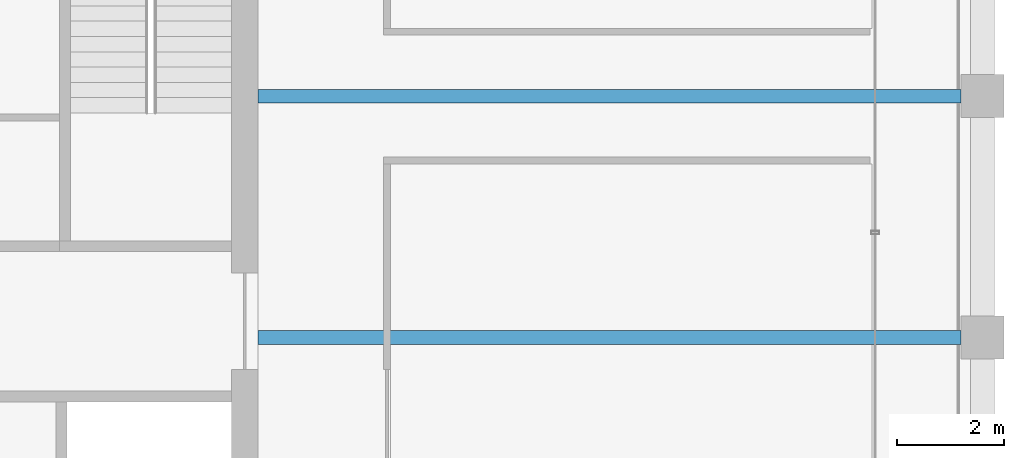
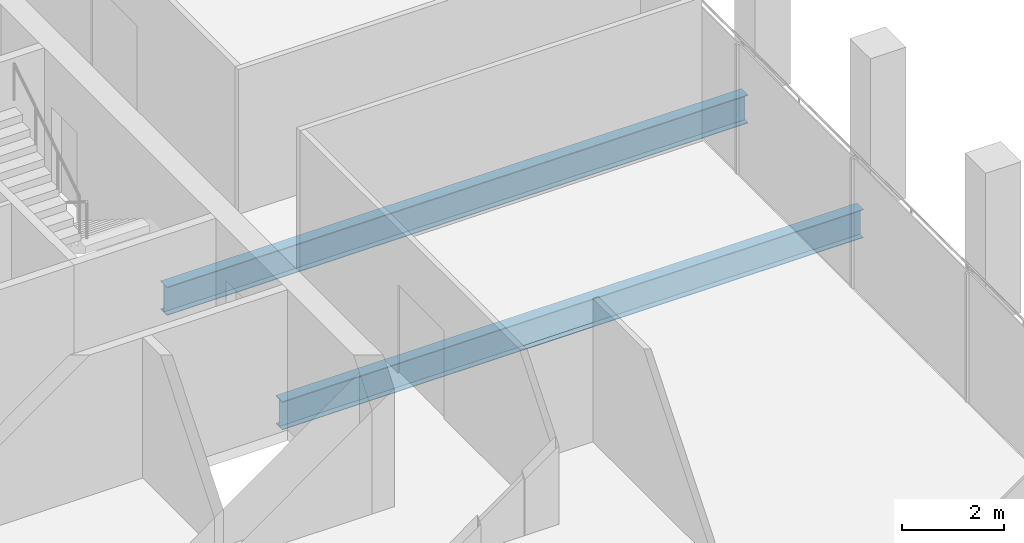
# One storey, part 16 of 30: 2 beams.
"""IFC4 building model written with IfcOpenShell, lengths in metres."""

from ifc_helpers import new_model, si_unit, direction, frame, origin, origin_2d, place, context, subcontext, project, spatial, i_section, extrude, material, material_profile, profile_set, type_object, element, save


model = new_model("IFC4")

# Units and contexts
model_context = context("Model", 3, precision=1e-05, world=origin(), true_north=direction((0.0, 1.0)))
body_context = subcontext(model_context, "Body", "Model", "MODEL_VIEW")
ifc_project = project(units=[si_unit("LENGTHUNIT", "METRE"), si_unit("AREAUNIT", "SQUARE_METRE"), si_unit("VOLUMEUNIT", "CUBIC_METRE"), si_unit("PLANEANGLEUNIT", "RADIAN"), si_unit("MASSUNIT", "GRAM", prefix="KILO")], contexts=[model_context])

# Site, building, storey
site_placement = place(None, origin())
site = spatial("IfcSite", under=ifc_project, at=site_placement, CompositionType="ELEMENT")
building_placement = place(site_placement, origin())
building = spatial("IfcBuilding", under=site, at=building_placement, Name="Altepetl Exchange Towers", CompositionType="ELEMENT")
storey_placement = place(building_placement, frame((0.0, 0.0, 224.39990234375)))
storey = spatial("IfcBuildingStorey", under=building, at=storey_placement, Name="L57", CompositionType="ELEMENT", Elevation=224.39990234375)

# Beams
ifc_material = material(Name="Steel S355", Category="steel")
ifc_material_profile = material_profile(ifc_material, i_section(OverallWidth=0.2529296875, OverallDepth=0.677978515625, WebThickness=0.01171875, FlangeThickness=0.016357421875, at=origin_2d()), Name="W27X84")
ifc_profile_set = profile_set([ifc_material_profile], Name="Steel S355")
beam_type = type_object("IfcBeamType", Name="Floor beam W27X84", PredefinedType="BEAM", material=ifc_profile_set)
for number, where, z_axis, x_axis, name in (
    (1, (58.5, 45.0, -0.489013671875), (1.0, 0.0, 0.0), (0.0, 1.0, 0.0), "bm:A:L57:009"),
    (2, (58.5, 49.5, -0.489013671875), (1.0, 0.0, 0.0), (0.0, 1.0, 0.0), "bm:A:L57:010"),
):
    element("IfcBeam", number, at=place(storey_placement, frame(where, z_axis=z_axis, x_axis=x_axis)), inside=storey, type_object=beam_type, Name=name, PredefinedType="BEAM", context=body_context, shape_type="SweptSolid", body=[
        extrude(i_section(OverallWidth=0.2529296875, OverallDepth=0.677978515625, WebThickness=0.01171875, FlangeThickness=0.016357421875, at=origin_2d()), origin(), (0.0, 0.0, 1.0), 13.10009765625),
    ])

save(model, "model.ifc")
